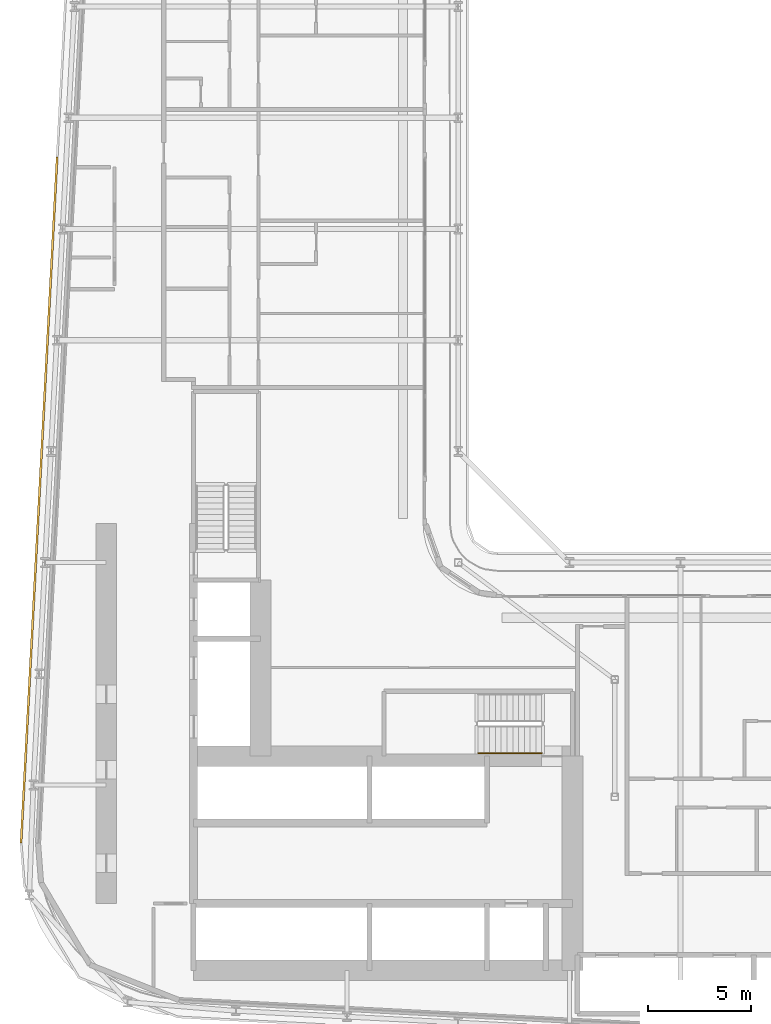
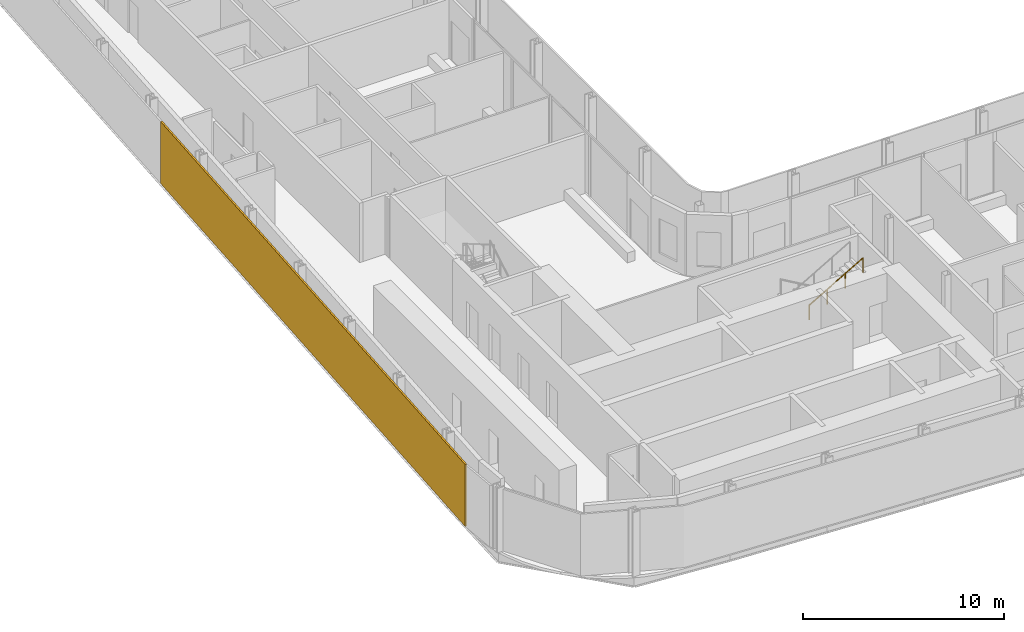
# One storey, part 21 of 27: 1 railing, 1 shading device.
"""IFC4 building model written with IfcOpenShell, lengths in metres."""

from ifc_helpers import new_model, si_unit, direction, frame, origin, origin_2d, place, context, subcontext, project, spatial, rectangle, circle, extrude, material, layer, layer_set, type_object, element, save


model = new_model("IFC4")

# Units and contexts
model_context = context("Model", 3, precision=1e-05, world=origin(), true_north=direction((0.0, 1.0)))
body_context = subcontext(model_context, "Body", "Model", "MODEL_VIEW")
ifc_project = project(units=[si_unit("LENGTHUNIT", "METRE"), si_unit("AREAUNIT", "SQUARE_METRE"), si_unit("VOLUMEUNIT", "CUBIC_METRE"), si_unit("PLANEANGLEUNIT", "RADIAN"), si_unit("MASSUNIT", "GRAM", prefix="KILO")], contexts=[model_context])

# Site, building, storey
site_placement = place(None, origin())
site = spatial("IfcSite", under=ifc_project, at=site_placement, CompositionType="ELEMENT")
building_placement = place(site_placement, origin())
building = spatial("IfcBuilding", under=site, at=building_placement, Name="Kheshtan School and Residences Tower", CompositionType="ELEMENT")
storey_placement = place(building_placement, frame((0.0, 0.0, 57.800048828125)))
storey = spatial("IfcBuildingStorey", under=building, at=storey_placement, Name="L13", CompositionType="ELEMENT", Elevation=57.800048828125)

# Shading device
ifc_material_1 = material(Name="Terracotta baguette, extruded ceramic", Category="masonry")
ifc_layer = layer(ifc_material_1, 0.10009765625)
ifc_layer_set = layer_set([ifc_layer], Name="Ledge screen, terracotta baguettes")
shading_device_type = type_object("IfcShadingDeviceType", Name="Ledge screen, terracotta baguettes", PredefinedType="USERDEFINED", material=ifc_layer_set)
shading_device_placement = place(storey_placement, frame((27.24609375, 48.638916015625, 0.0), z_axis=(0.0, 0.0, 1.0), x_axis=(0.052562536748, 0.998617634398, 0.0)))
element("IfcShadingDevice", 1, at=shading_device_placement, inside=storey, type_object=shading_device_type, Name="Screen L13 4", ObjectType="BAGUETTE", PredefinedType="USERDEFINED", context=body_context, shape_type="SweptSolid", body=[
    extrude(rectangle(XDim=33.341064453125, YDim=0.10009765625, at=origin_2d()), origin(), (0.0, 0.0, 1.0), 3.75),
])

# Railing
ifc_material_2 = material(Name="Stainless steel handrail", Category="steel")
railing_type = type_object("IfcRailingType", Name="Stair handrail 900", PredefinedType="HANDRAIL", material=ifc_material_2)
railing_placement = place(storey_placement, frame((48.570068359375, 36.35009765625, 2.112548828125)))
element("IfcRailing", 2, at=railing_placement, inside=storey, type_object=railing_type, Name="L13 ST1 stair handrail 2", PredefinedType="HANDRAIL", context=body_context, shape_type="SweptSolid", body=[
    extrude(circle(Radius=0.02392578125, at=origin_2d()), frame((0.0, 0.0, 0.8759765625), z_axis=(0.864903211148, 0.0, 0.501938676878), x_axis=(0.0, 1.0, 0.0)), (0.0, 0.0, 1.0), 3.560791015625),
    extrude(circle(Radius=0.02099609375, at=origin_2d()), origin(), (0.0, 0.0, 1.0), 0.851806640625),
    extrude(circle(Radius=0.02099609375, at=origin_2d()), frame((1.026611328125, 0.0, 0.595703125)), (0.0, 0.0, 1.0), 0.851806640625),
    extrude(circle(Radius=0.02099609375, at=origin_2d()), frame((2.05322265625, 0.0, 1.191650390625)), (0.0, 0.0, 1.0), 0.851806640625),
    extrude(circle(Radius=0.02099609375, at=origin_2d()), frame((3.079833984375, 0.0, 1.787353515625)), (0.0, 0.0, 1.0), 0.851806640625),
])

save(model, "model.ifc")
